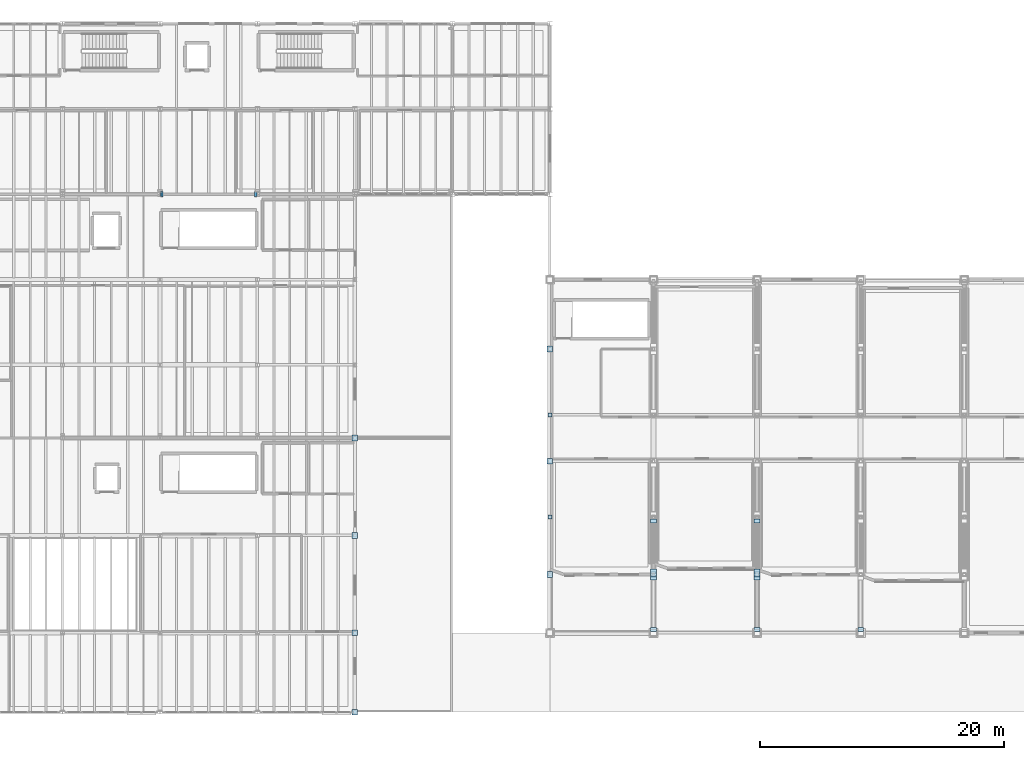
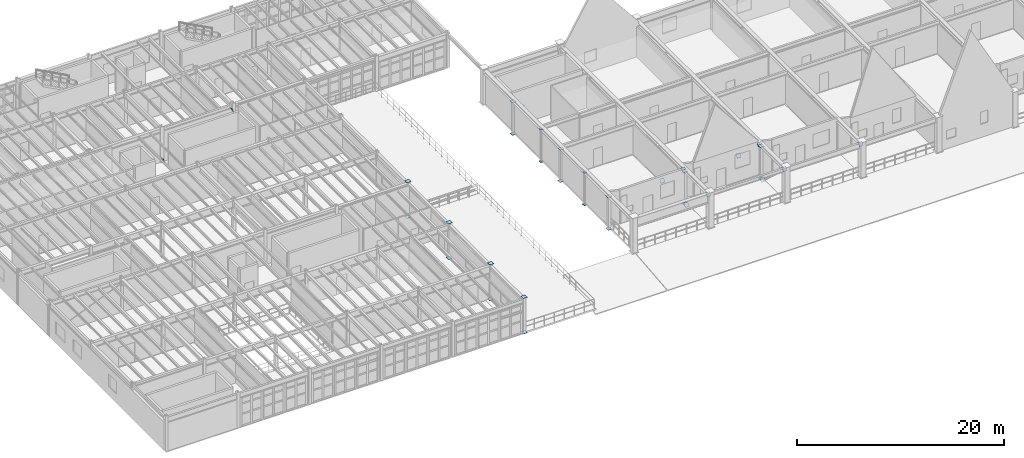
# One storey, part 55 of 78: 33 plates.
"""IFC4 building model written with IfcOpenShell, lengths in metres."""

from ifc_helpers import new_model, si_unit, direction, frame, origin, origin_2d, place, context, subcontext, project, spatial, rectangle, extrude, material, material_profile, profile_set, type_object, element, save


model = new_model("IFC4")

# Units and contexts
model_context = context("Model", 3, precision=1e-05, world=origin(), true_north=direction((0.0, 1.0)))
body_context = subcontext(model_context, "Body", "Model", "MODEL_VIEW")
ifc_project = project(units=[si_unit("LENGTHUNIT", "METRE"), si_unit("AREAUNIT", "SQUARE_METRE"), si_unit("VOLUMEUNIT", "CUBIC_METRE"), si_unit("PLANEANGLEUNIT", "RADIAN"), si_unit("MASSUNIT", "GRAM", prefix="KILO"), si_unit("THERMODYNAMICTEMPERATUREUNIT", "KELVIN"), si_unit("POWERUNIT", "WATT")], contexts=[model_context])

# Site, building, storey
site_placement = place(None, origin())
site = spatial("IfcSite", under=ifc_project, at=site_placement, CompositionType="ELEMENT")
building_placement = place(site_placement, origin())
building = spatial("IfcBuilding", under=site, at=building_placement, Name="Zhenchuan Central Fire Station", CompositionType="ELEMENT")
storey_placement = place(building_placement, frame((0.0, 0.0, 5.85009765625)))
storey = spatial("IfcBuildingStorey", under=building, at=storey_placement, Name="L02", CompositionType="ELEMENT", Elevation=5.85009765625)

# Plates
ifc_material = material(Name="Steel Q355B", Category="steel")
ifc_material_profile_1 = material_profile(ifc_material, rectangle(XDim=0.320068359375, YDim=0.320068359375, at=origin_2d()), Name="PL 320x320x20")
ifc_profile_set_1 = profile_set([ifc_material_profile_1], Name="Steel Q355B")
plate_type_1 = type_object("IfcPlateType", Name="PL-CAP20", PredefinedType="SHEET", material=ifc_profile_set_1)
for number, where, z_axis, x_axis, name in (
    (1, (56.0, 16.0, -0.216064453125), (0.0, 0.0, 1.0), (1.0, 0.0, 0.0), "Transfer Truss TT-01 Web Post 2 end cap plate A"),
    (2, (56.0, 16.0, 3.595947265625), (0.0, 0.0, 1.0), (1.0, 0.0, 0.0), "Transfer Truss TT-01 Web Post 2 end cap plate B"),
    (3, (56.0, 24.39990234375, -0.216064453125), (0.0, 0.0, 1.0), (1.0, 0.0, 0.0), "Transfer Truss TT-01 Web Post 4 end cap plate A"),
    (4, (56.0, 24.39990234375, 3.595947265625), (0.0, 0.0, 1.0), (1.0, 0.0, 0.0), "Transfer Truss TT-01 Web Post 4 end cap plate B"),
):
    element("IfcPlate", number, at=place(storey_placement, frame(where, z_axis=z_axis, x_axis=x_axis)), inside=storey, type_object=plate_type_1, Name=name, PredefinedType="SHEET", context=body_context, shape_type="SweptSolid", body=[
        extrude(rectangle(XDim=0.320068359375, YDim=0.320068359375, at=origin_2d()), origin(), (0.0, 0.0, 1.0), 0.02001953125),
    ])
ifc_material_profile_2 = material_profile(ifc_material, rectangle(XDim=0.4599609375, YDim=0.4599609375, at=origin_2d()), Name="PL 460x460x28")
ifc_profile_set_2 = profile_set([ifc_material_profile_2], Name="Steel Q355B")
plate_type_2 = type_object("IfcPlateType", Name="PL-GUS28", PredefinedType="SHEET", material=ifc_profile_set_2)
for number, where, z_axis, x_axis, name in (
    (5, (40.0, 0.0, -0.01611328125), (0.0, 0.0, 1.0), (1.0, 0.0, 0.0), "L02 Column 046 end cap plate A"),
    (6, (40.0, 0.0, 4.19580078125), (0.0, 0.0, 1.0), (1.0, 0.0, 0.0), "L02 Column 046 end cap plate B"),
):
    element("IfcPlate", number, at=place(storey_placement, frame(where, z_axis=z_axis, x_axis=x_axis)), inside=storey, type_object=plate_type_2, Name=name, PredefinedType="SHEET", context=body_context, shape_type="SweptSolid", body=[
        extrude(rectangle(XDim=0.4599609375, YDim=0.4599609375, at=origin_2d()), origin(), (0.0, 0.0, 1.0), 0.02001953125),
    ])
ifc_material_profile_3 = material_profile(ifc_material, rectangle(XDim=0.4599609375, YDim=0.4599609375, at=origin_2d()), Name="PL 460x460x28")
ifc_profile_set_3 = profile_set([ifc_material_profile_3], Name="Steel Q355B")
plate_type_3 = type_object("IfcPlateType", Name="PL-GUS28-INT", PredefinedType="SHEET", material=ifc_profile_set_3)
for number, where, z_axis, x_axis, name in (
    (7, (40.0, 6.5, -0.01611328125), (0.0, 0.0, 1.0), (1.0, 0.0, 0.0), "L02 Column 047 end cap plate A"),
    (8, (40.0, 6.5, 4.19580078125), (0.0, 0.0, 1.0), (1.0, 0.0, 0.0), "L02 Column 047 end cap plate B"),
    (9, (40.0, 14.5, -0.01611328125), (0.0, 0.0, 1.0), (1.0, 0.0, 0.0), "L02 Column 048 end cap plate A"),
    (10, (40.0, 14.5, 4.19580078125), (0.0, 0.0, 1.0), (1.0, 0.0, 0.0), "L02 Column 048 end cap plate B"),
    (11, (40.0, 22.5, -0.01611328125), (0.0, 0.0, 1.0), (1.0, 0.0, 0.0), "L02 Column 049 end cap plate A"),
    (12, (40.0, 22.5, 4.19580078125), (0.0, 0.0, 1.0), (1.0, 0.0, 0.0), "L02 Column 049 end cap plate B"),
    (13, (56.0, 11.300048828125, -0.216064453125), (0.0, 0.0, 1.0), (1.0, 0.0, 0.0), "Transfer Truss TT-01 Web Post 1 end cap plate A"),
    (14, (56.0, 11.300048828125, 3.595947265625), (0.0, 0.0, 1.0), (1.0, 0.0, 0.0), "Transfer Truss TT-01 Web Post 1 end cap plate B"),
    (15, (56.0, 20.60009765625, -0.216064453125), (0.0, 0.0, 1.0), (1.0, 0.0, 0.0), "Transfer Truss TT-01 Web Post 3 end cap plate A"),
    (16, (56.0, 20.60009765625, 3.595947265625), (0.0, 0.0, 1.0), (1.0, 0.0, 0.0), "Transfer Truss TT-01 Web Post 3 end cap plate B"),
    (17, (56.0, 29.800048828125, -0.216064453125), (0.0, 0.0, 1.0), (1.0, 0.0, 0.0), "Transfer Truss TT-01 Web Post 5 end cap plate A"),
    (18, (56.0, 29.800048828125, 3.595947265625), (0.0, 0.0, 1.0), (1.0, 0.0, 0.0), "Transfer Truss TT-01 Web Post 5 end cap plate B"),
    (19, (64.5, 11.300048828125, -0.216064453125), (0.0, 0.0, 1.0), (1.0, 0.0, 0.0), "Transfer Truss TT-02 Web Post 1 end cap plate A"),
    (20, (64.5, 11.300048828125, 3.595947265625), (0.0, 0.0, 1.0), (1.0, 0.0, 0.0), "Transfer Truss TT-02 Web Post 1 end cap plate B"),
    (21, (64.5, 6.7880859375, 3.610595703125), (0.0, 0.742688444175, -0.669637121797), (-1.0, 0.0, 0.0), "Transfer Truss TT-02 Web Diagonal 1 end cap plate A"),
    (22, (64.5, 10.9970703125, -0.197509765625), (0.0, 0.742688444175, -0.669637121797), (-1.0, 0.0, 0.0), "Transfer Truss TT-02 Web Diagonal 1 end cap plate B"),
    (23, (64.5, 11.58837890625, 3.61083984375), (0.0, 0.731055268243, -0.68231825036), (-1.0, 0.0, 0.0), "Transfer Truss TT-02 Web Diagonal 2 end cap plate A"),
    (24, (64.5, 15.697021484375, -0.197265625), (0.0, 0.731055268243, -0.68231825036), (-1.0, 0.0, 0.0), "Transfer Truss TT-02 Web Diagonal 2 end cap plate B"),
    (25, (73.0, 11.300048828125, -0.216064453125), (0.0, 0.0, 1.0), (1.0, 0.0, 0.0), "Transfer Truss TT-03 Web Post 1 end cap plate A"),
    (26, (73.0, 11.300048828125, 3.595947265625), (0.0, 0.0, 1.0), (1.0, 0.0, 0.0), "Transfer Truss TT-03 Web Post 1 end cap plate B"),
    (27, (73.0, 6.7880859375, 3.610595703125), (0.0, 0.742688444175, -0.669637121797), (-1.0, 0.0, 0.0), "Transfer Truss TT-03 Web Diagonal 1 end cap plate A"),
    (28, (73.0, 10.9970703125, -0.197509765625), (0.0, 0.742688444175, -0.669637121797), (-1.0, 0.0, 0.0), "Transfer Truss TT-03 Web Diagonal 1 end cap plate B"),
    (29, (73.0, 11.58837890625, 3.61083984375), (0.0, 0.731055268243, -0.68231825036), (-1.0, 0.0, 0.0), "Transfer Truss TT-03 Web Diagonal 2 end cap plate A"),
    (30, (73.0, 15.697021484375, -0.197265625), (0.0, 0.731055268243, -0.68231825036), (-1.0, 0.0, 0.0), "Transfer Truss TT-03 Web Diagonal 2 end cap plate B"),
    (31, (81.5, 6.7880859375, 3.610595703125), (0.0, 0.742688444175, -0.669637121797), (-1.0, 0.0, 0.0), "Transfer Truss TT-04 Web Diagonal 1 end cap plate A"),
    (32, (24.13818359375, 42.5, 0.19384765625), (0.925934612024, 0.0, 0.377683854905), (0.0, 1.0, 0.0), "Interior Frame Lateral Brace 05 end cap plate A"),
    (33, (31.84326171875, 42.5, 3.3984375), (0.925934612024, 0.0, 0.377683854905), (0.0, 1.0, 0.0), "Interior Frame Lateral Brace 05 end cap plate B"),
):
    element("IfcPlate", number, at=place(storey_placement, frame(where, z_axis=z_axis, x_axis=x_axis)), inside=storey, type_object=plate_type_3, Name=name, PredefinedType="SHEET", context=body_context, shape_type="SweptSolid", body=[
        extrude(rectangle(XDim=0.4599609375, YDim=0.4599609375, at=origin_2d()), origin(), (0.0, 0.0, 1.0), 0.02001953125),
    ])

save(model, "model.ifc")
